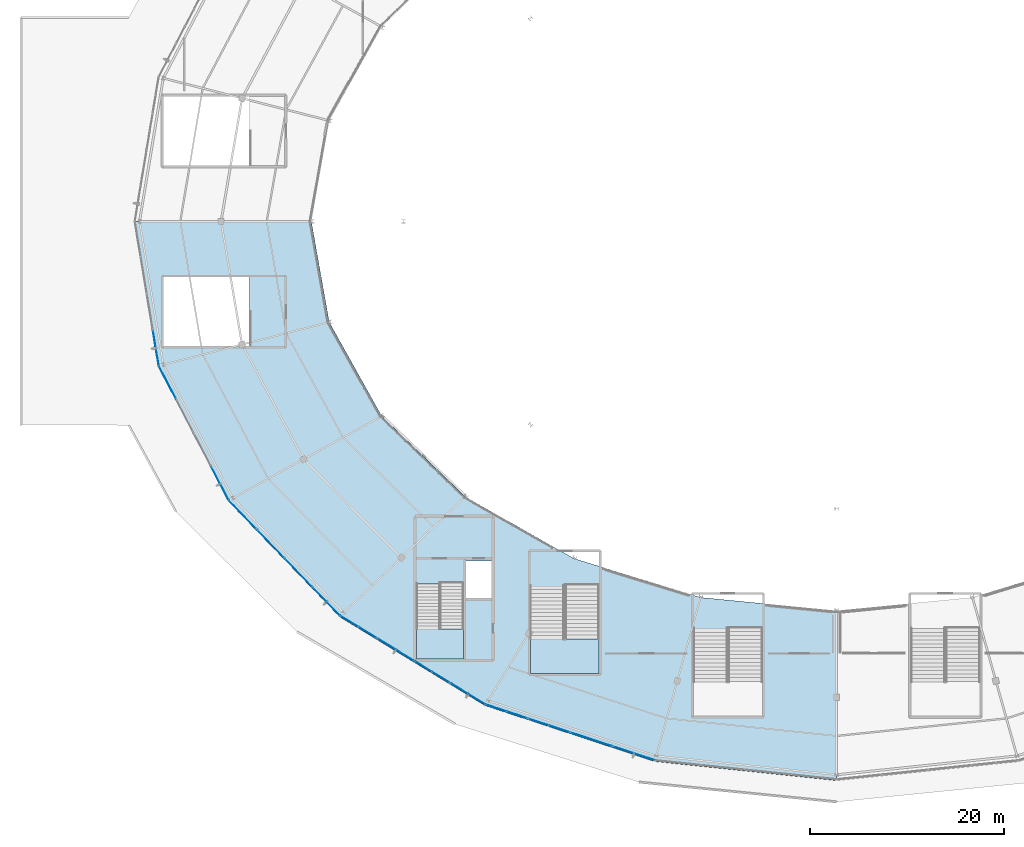
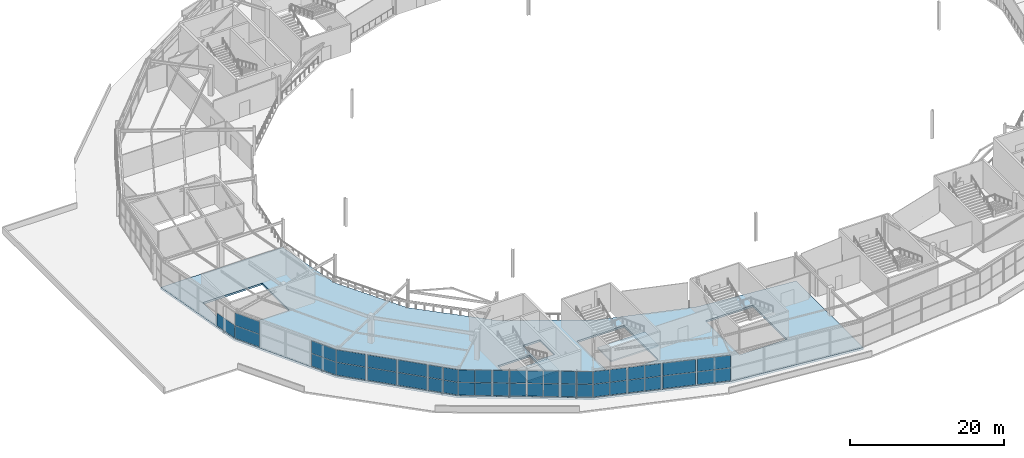
# One storey, part 93 of 126: 43 plates, 3 slabs, 17 elements without a shape of their own.
"""IFC4 building model written with IfcOpenShell, lengths in metres."""

from ifc_helpers import new_model, si_unit, direction, frame, origin, origin_2d, place, context, subcontext, project, spatial, polyline, rectangle, outline, extrude, material, layer, layer_set, type_object, element, aggregate, save


model = new_model("IFC4")

# Units and contexts
model_context = context("Model", 3, precision=1e-05, world=origin(), true_north=direction((0.0, 1.0)))
body_context = subcontext(model_context, "Body", "Model", "MODEL_VIEW")
ifc_project = project(units=[si_unit("LENGTHUNIT", "METRE"), si_unit("AREAUNIT", "SQUARE_METRE"), si_unit("VOLUMEUNIT", "CUBIC_METRE"), si_unit("PLANEANGLEUNIT", "RADIAN"), si_unit("MASSUNIT", "GRAM", prefix="KILO")], contexts=[model_context])

# Site, building, storey
site_placement = place(None, origin())
site = spatial("IfcSite", under=ifc_project, at=site_placement, CompositionType="ELEMENT")
building_placement = place(site_placement, origin())
building = spatial("IfcBuilding", under=site, at=building_placement, Name="Kalgoora Escarpment Arena", CompositionType="ELEMENT")
storey_placement = place(building_placement, frame((0.0, 0.0, 18.89990234375)))
storey = spatial("IfcBuildingStorey", under=building, at=storey_placement, Name="L04", CompositionType="ELEMENT", Elevation=18.89990234375)

# Curtain wall, plates
ifc_material_1 = material(Name=" Champagne anodised aluminium & double-glazed low-E", Category="aluminium")
ifc_layer_1 = layer(ifc_material_1, 0.166015625)
ifc_layer_set_1 = layer_set([ifc_layer_1], Name="CW-UNIT-19")
curtain_wall_type_1 = type_object("IfcCurtainWallType", Name="CW-UNIT-19", PredefinedType="NOTDEFINED", material=ifc_layer_set_1)
curtain_wall_1_placement = place(storey_placement, origin())
curtain_wall_1 = element("IfcCurtainWall", 1, at=curtain_wall_1_placement, inside=storey, type_object=curtain_wall_type_1, Name="L04 unitised facade curtain wall 118", PredefinedType="NOTDEFINED")
ifc_material_2 = material(Name="Low-E double-glazed insulated glass", Category="glass")
ifc_layer_2 = layer(ifc_material_2, 0.028076171875)
ifc_layer_set_2 = layer_set([ifc_layer_2], Name="PLT-CW-GLAZ-28")
plate_type_1 = type_object("IfcPlateType", Name="PLT-CW-GLAZ-28", PredefinedType="CURTAIN_PANEL", material=ifc_layer_set_2)
plate_1_placement = place(storey_placement, frame((71.5400390625, 9.188232421875, 0.0751953125), z_axis=(0.0, 0.0, 1.0), x_axis=(-0.949759939888, 0.312979322933, 0.0)))
plate_1 = element("IfcPlate", 2, at=plate_1_placement, type_object=plate_type_1, Name="CW-19 panel 1.1", PredefinedType="CURTAIN_PANEL", context=body_context, shape_type="SweptSolid", body=[
    extrude(rectangle(XDim=4.42626953125, YDim=0.028076171875, at=origin_2d()), origin(), (0.0, 0.0, 1.0), 2.00244140625),
])
plate_2_placement = place(storey_placement, frame((71.5400390625, 9.188232421875, 2.132568359375), z_axis=(0.0, 0.0, 1.0), x_axis=(-0.949759939888, 0.312979322933, 0.0)))
plate_2 = element("IfcPlate", 3, at=plate_2_placement, type_object=plate_type_1, Name="CW-19 panel 1.2", PredefinedType="CURTAIN_PANEL", context=body_context, shape_type="SweptSolid", body=[
    extrude(rectangle(XDim=4.42626953125, YDim=0.028076171875, at=origin_2d()), origin(), (0.0, 0.0, 1.0), 1.982421875),
])
aggregate(curtain_wall_1, [plate_1, plate_2])

ifc_material_3 = material(Name=" Champagne anodised aluminium & double-glazed low-E", Category="aluminium")
ifc_layer_3 = layer(ifc_material_3, 0.154052734375)
ifc_layer_set_3 = layer_set([ifc_layer_3], Name="CW-UNIT-01")
curtain_wall_type_2 = type_object("IfcCurtainWallType", Name="CW-UNIT-01", PredefinedType="NOTDEFINED", material=ifc_layer_set_3)
curtain_wall_2_placement = place(storey_placement, origin())
curtain_wall_2 = element("IfcCurtainWall", 4, at=curtain_wall_2_placement, inside=storey, type_object=curtain_wall_type_2, Name="L04 unitised facade curtain wall 120", PredefinedType="NOTDEFINED")
plate_3_placement = place(storey_placement, frame((63.837646484375, 11.726318359375, 0.080078125), z_axis=(0.0, 0.0, 1.0), x_axis=(-0.94975644114, 0.312989939956, 0.0)))
plate_3 = element("IfcPlate", 5, at=plate_3_placement, type_object=plate_type_1, Name="CW-01 panel 1.1", PredefinedType="CURTAIN_PANEL", context=body_context, shape_type="SweptSolid", body=[
    extrude(rectangle(XDim=2.150634765625, YDim=0.028076171875, at=origin_2d()), origin(), (0.0, 0.0, 1.0), 1.9951171875),
])
plate_4_placement = place(storey_placement, frame((63.837646484375, 11.726318359375, 2.135009765625), z_axis=(0.0, 0.0, 1.0), x_axis=(-0.94975644114, 0.312989939956, 0.0)))
plate_4 = element("IfcPlate", 6, at=plate_4_placement, type_object=plate_type_1, Name="CW-01 panel 1.2", PredefinedType="CURTAIN_PANEL", context=body_context, shape_type="SweptSolid", body=[
    extrude(rectangle(XDim=2.150634765625, YDim=0.028076171875, at=origin_2d()), origin(), (0.0, 0.0, 1.0), 1.97509765625),
])
plate_5_placement = place(storey_placement, frame((61.7333984375, 12.419677734375, 0.080078125), z_axis=(0.0, 0.0, 1.0), x_axis=(-0.94975644114, 0.312989939956, 0.0)))
plate_5 = element("IfcPlate", 7, at=plate_5_placement, type_object=plate_type_1, Name="CW-01 panel 2.1", PredefinedType="CURTAIN_PANEL", context=body_context, shape_type="SweptSolid", body=[
    extrude(rectangle(XDim=2.150634765625, YDim=0.028076171875, at=origin_2d()), origin(), (0.0, 0.0, 1.0), 1.9951171875),
])
plate_6_placement = place(storey_placement, frame((61.7333984375, 12.419677734375, 2.135009765625), z_axis=(0.0, 0.0, 1.0), x_axis=(-0.94975644114, 0.312989939956, 0.0)))
plate_6 = element("IfcPlate", 8, at=plate_6_placement, type_object=plate_type_1, Name="CW-01 panel 2.2", PredefinedType="CURTAIN_PANEL", context=body_context, shape_type="SweptSolid", body=[
    extrude(rectangle(XDim=2.150634765625, YDim=0.028076171875, at=origin_2d()), origin(), (0.0, 0.0, 1.0), 1.97509765625),
])
aggregate(curtain_wall_2, [plate_3, plate_4, plate_5, plate_6])

ifc_material_4 = material(Name=" Champagne anodised aluminium & double-glazed low-E", Category="aluminium")
ifc_layer_4 = layer(ifc_material_4, 0.162109375)
ifc_layer_set_4 = layer_set([ifc_layer_4], Name="CW-UNIT-03")
curtain_wall_type_3 = type_object("IfcCurtainWallType", Name="CW-UNIT-03", PredefinedType="NOTDEFINED", material=ifc_layer_set_4)
curtain_wall_3_placement = place(storey_placement, origin())
curtain_wall_3 = element("IfcCurtainWall", 9, at=curtain_wall_3_placement, inside=storey, type_object=curtain_wall_type_3, Name="L04 unitised facade curtain wall 122", PredefinedType="NOTDEFINED")
plate_7_placement = place(storey_placement, frame((55.34130859375, 14.78173828125, 0.080078125), z_axis=(0.0, 0.0, 1.0), x_axis=(-0.853520684485, 0.521058961304, 0.0)))
plate_7 = element("IfcPlate", 10, at=plate_7_placement, type_object=plate_type_1, Name="CW-03 panel 1.1", PredefinedType="CURTAIN_PANEL", context=body_context, shape_type="SweptSolid", body=[
    extrude(rectangle(XDim=2.028564453125, YDim=0.028076171875, at=origin_2d()), origin(), (0.0, 0.0, 1.0), 1.9951171875),
])
plate_8_placement = place(storey_placement, frame((55.34130859375, 14.78173828125, 2.135009765625), z_axis=(0.0, 0.0, 1.0), x_axis=(-0.853520684485, 0.521058961304, 0.0)))
plate_8 = element("IfcPlate", 11, at=plate_8_placement, type_object=plate_type_1, Name="CW-03 panel 1.2", PredefinedType="CURTAIN_PANEL", context=body_context, shape_type="SweptSolid", body=[
    extrude(rectangle(XDim=2.028564453125, YDim=0.028076171875, at=origin_2d()), origin(), (0.0, 0.0, 1.0), 1.97509765625),
])
plate_9_placement = place(storey_placement, frame((53.554443359375, 15.87255859375, 0.080078125), z_axis=(0.0, 0.0, 1.0), x_axis=(-0.853520684485, 0.521058961304, 0.0)))
plate_9 = element("IfcPlate", 12, at=plate_9_placement, type_object=plate_type_1, Name="CW-03 panel 2.1", PredefinedType="CURTAIN_PANEL", context=body_context, shape_type="SweptSolid", body=[
    extrude(rectangle(XDim=2.028564453125, YDim=0.028076171875, at=origin_2d()), origin(), (0.0, 0.0, 1.0), 1.9951171875),
])
plate_10_placement = place(storey_placement, frame((53.554443359375, 15.87255859375, 2.135009765625), z_axis=(0.0, 0.0, 1.0), x_axis=(-0.853520684485, 0.521058961304, 0.0)))
plate_10 = element("IfcPlate", 13, at=plate_10_placement, type_object=plate_type_1, Name="CW-03 panel 2.2", PredefinedType="CURTAIN_PANEL", context=body_context, shape_type="SweptSolid", body=[
    extrude(rectangle(XDim=2.028564453125, YDim=0.028076171875, at=origin_2d()), origin(), (0.0, 0.0, 1.0), 1.97509765625),
])
aggregate(curtain_wall_3, [plate_7, plate_8, plate_9, plate_10])

ifc_material_5 = material(Name=" Champagne anodised aluminium & double-glazed low-E", Category="aluminium")
ifc_layer_5 = layer(ifc_material_5, 0.14990234375)
ifc_layer_set_5 = layer_set([ifc_layer_5], Name="CW-UNIT-05")
curtain_wall_type_4 = type_object("IfcCurtainWallType", Name="CW-UNIT-05", PredefinedType="NOTDEFINED", material=ifc_layer_set_5)
curtain_wall_4_placement = place(storey_placement, origin())
curtain_wall_4 = element("IfcCurtainWall", 14, at=curtain_wall_4_placement, inside=storey, type_object=curtain_wall_type_4, Name="L04 unitised facade curtain wall 124", PredefinedType="NOTDEFINED")
plate_11_placement = place(storey_placement, frame((47.909912109375, 19.318359375, 0.080078125), z_axis=(0.0, 0.0, 1.0), x_axis=(-0.853516077733, 0.52106650732, 0.0)))
plate_11 = element("IfcPlate", 15, at=plate_11_placement, type_object=plate_type_1, Name="CW-05 panel 1.1", PredefinedType="CURTAIN_PANEL", context=body_context, shape_type="SweptSolid", body=[
    extrude(rectangle(XDim=2.10205078125, YDim=0.028076171875, at=origin_2d()), origin(), (0.0, 0.0, 1.0), 1.9951171875),
])
plate_12_placement = place(storey_placement, frame((47.909912109375, 19.318359375, 2.135009765625), z_axis=(0.0, 0.0, 1.0), x_axis=(-0.853516077733, 0.52106650732, 0.0)))
plate_12 = element("IfcPlate", 16, at=plate_12_placement, type_object=plate_type_1, Name="CW-05 panel 1.2", PredefinedType="CURTAIN_PANEL", context=body_context, shape_type="SweptSolid", body=[
    extrude(rectangle(XDim=2.10205078125, YDim=0.028076171875, at=origin_2d()), origin(), (0.0, 0.0, 1.0), 1.97509765625),
])
plate_13_placement = place(storey_placement, frame((46.060546875, 20.447509765625, 0.080078125), z_axis=(0.0, 0.0, 1.0), x_axis=(-0.853516077733, 0.52106650732, 0.0)))
plate_13 = element("IfcPlate", 17, at=plate_13_placement, type_object=plate_type_1, Name="CW-05 panel 2.1", PredefinedType="CURTAIN_PANEL", context=body_context, shape_type="SweptSolid", body=[
    extrude(rectangle(XDim=2.10205078125, YDim=0.028076171875, at=origin_2d()), origin(), (0.0, 0.0, 1.0), 1.9951171875),
])
plate_14_placement = place(storey_placement, frame((46.060546875, 20.447509765625, 2.135009765625), z_axis=(0.0, 0.0, 1.0), x_axis=(-0.853516077733, 0.52106650732, 0.0)))
plate_14 = element("IfcPlate", 18, at=plate_14_placement, type_object=plate_type_1, Name="CW-05 panel 2.2", PredefinedType="CURTAIN_PANEL", context=body_context, shape_type="SweptSolid", body=[
    extrude(rectangle(XDim=2.10205078125, YDim=0.028076171875, at=origin_2d()), origin(), (0.0, 0.0, 1.0), 1.97509765625),
])
aggregate(curtain_wall_4, [plate_11, plate_12, plate_13, plate_14])

ifc_material_6 = material(Name=" Champagne anodised aluminium & double-glazed low-E", Category="aluminium")
ifc_layer_6 = layer(ifc_material_6, 0.157958984375)
ifc_layer_set_6 = layer_set([ifc_layer_6], Name="CW-UNIT-07")
curtain_wall_type_5 = type_object("IfcCurtainWallType", Name="CW-UNIT-07", PredefinedType="NOTDEFINED", material=ifc_layer_set_6)
curtain_wall_5_placement = place(storey_placement, origin())
curtain_wall_5 = element("IfcCurtainWall", 19, at=curtain_wall_5_placement, inside=storey, type_object=curtain_wall_type_5, Name="L04 unitised facade curtain wall 126", PredefinedType="NOTDEFINED")
plate_15_placement = place(storey_placement, frame((40.5703125, 24.102294921875, 0.080078125), z_axis=(0.0, 0.0, 1.0), x_axis=(-0.69420247723, 0.719779772297, 0.0)))
plate_15 = element("IfcPlate", 20, at=plate_15_placement, type_object=plate_type_1, Name="CW-07 panel 1.1", PredefinedType="CURTAIN_PANEL", context=body_context, shape_type="SweptSolid", body=[
    extrude(rectangle(XDim=1.94921875, YDim=0.028076171875, at=origin_2d()), origin(), (0.0, 0.0, 1.0), 1.9951171875),
])
plate_16_placement = place(storey_placement, frame((40.5703125, 24.102294921875, 2.135009765625), z_axis=(0.0, 0.0, 1.0), x_axis=(-0.69420247723, 0.719779772297, 0.0)))
plate_16 = element("IfcPlate", 21, at=plate_16_placement, type_object=plate_type_1, Name="CW-07 panel 1.2", PredefinedType="CURTAIN_PANEL", context=body_context, shape_type="SweptSolid", body=[
    extrude(rectangle(XDim=1.94921875, YDim=0.028076171875, at=origin_2d()), origin(), (0.0, 0.0, 1.0), 1.97509765625),
])
plate_17_placement = place(storey_placement, frame((39.171875, 25.552001953125, 0.080078125), z_axis=(0.0, 0.0, 1.0), x_axis=(-0.69420247723, 0.719779772297, 0.0)))
plate_17 = element("IfcPlate", 22, at=plate_17_placement, type_object=plate_type_1, Name="CW-07 panel 2.1", PredefinedType="CURTAIN_PANEL", context=body_context, shape_type="SweptSolid", body=[
    extrude(rectangle(XDim=1.94921875, YDim=0.028076171875, at=origin_2d()), origin(), (0.0, 0.0, 1.0), 1.9951171875),
])
plate_18_placement = place(storey_placement, frame((39.171875, 25.552001953125, 2.135009765625), z_axis=(0.0, 0.0, 1.0), x_axis=(-0.69420247723, 0.719779772297, 0.0)))
plate_18 = element("IfcPlate", 23, at=plate_18_placement, type_object=plate_type_1, Name="CW-07 panel 2.2", PredefinedType="CURTAIN_PANEL", context=body_context, shape_type="SweptSolid", body=[
    extrude(rectangle(XDim=1.94921875, YDim=0.028076171875, at=origin_2d()), origin(), (0.0, 0.0, 1.0), 1.97509765625),
])
aggregate(curtain_wall_5, [plate_15, plate_16, plate_17, plate_18])

ifc_material_7 = material(Name=" Champagne anodised aluminium & double-glazed low-E", Category="aluminium")
ifc_layer_7 = layer(ifc_material_7, 0.166015625)
ifc_layer_set_7 = layer_set([ifc_layer_7], Name="CW-UNIT-09")
curtain_wall_type_6 = type_object("IfcCurtainWallType", Name="CW-UNIT-09", PredefinedType="NOTDEFINED", material=ifc_layer_set_7)
curtain_wall_6_placement = place(storey_placement, origin())
curtain_wall_6 = element("IfcCurtainWall", 24, at=curtain_wall_6_placement, inside=storey, type_object=curtain_wall_type_6, Name="L04 unitised facade curtain wall 128", PredefinedType="NOTDEFINED")
plate_19_placement = place(storey_placement, frame((34.100830078125, 30.809814453125, 0.080078125), z_axis=(0.0, 0.0, 1.0), x_axis=(-0.694205135116, 0.719777208849, 0.0)))
plate_19 = element("IfcPlate", 25, at=plate_19_placement, type_object=plate_type_1, Name="CW-09 panel 1.1", PredefinedType="CURTAIN_PANEL", context=body_context, shape_type="SweptSolid", body=[
    extrude(rectangle(XDim=3.91357421875, YDim=0.028076171875, at=origin_2d()), origin(), (0.0, 0.0, 1.0), 1.9951171875),
])
plate_20_placement = place(storey_placement, frame((34.100830078125, 30.809814453125, 2.135009765625), z_axis=(0.0, 0.0, 1.0), x_axis=(-0.694205135116, 0.719777208849, 0.0)))
plate_20 = element("IfcPlate", 26, at=plate_20_placement, type_object=plate_type_1, Name="CW-09 panel 1.2", PredefinedType="CURTAIN_PANEL", context=body_context, shape_type="SweptSolid", body=[
    extrude(rectangle(XDim=3.91357421875, YDim=0.028076171875, at=origin_2d()), origin(), (0.0, 0.0, 1.0), 1.97509765625),
])
aggregate(curtain_wall_6, [plate_19, plate_20])

ifc_material_8 = material(Name=" Champagne anodised aluminium & double-glazed low-E", Category="aluminium")
ifc_layer_8 = layer(ifc_material_8, 0.154052734375)
ifc_layer_set_8 = layer_set([ifc_layer_8], Name="CW-UNIT-11")
curtain_wall_type_7 = type_object("IfcCurtainWallType", Name="CW-UNIT-11", PredefinedType="NOTDEFINED", material=ifc_layer_set_8)
curtain_wall_7_placement = place(storey_placement, origin())
curtain_wall_7 = element("IfcCurtainWall", 27, at=curtain_wall_7_placement, inside=storey, type_object=curtain_wall_type_7, Name="L04 unitised facade curtain wall 130", PredefinedType="NOTDEFINED")
plate_21_placement = place(storey_placement, frame((28.91357421875, 36.9697265625, 0.0751953125), z_axis=(0.0, 0.0, 1.0), x_axis=(-0.461795783252, 0.886986276427, 0.0)))
plate_21 = element("IfcPlate", 28, at=plate_21_placement, type_object=plate_type_1, Name="CW-11 panel 1.1", PredefinedType="CURTAIN_PANEL", context=body_context, shape_type="SweptSolid", body=[
    extrude(rectangle(XDim=3.74560546875, YDim=0.028076171875, at=origin_2d()), origin(), (0.0, 0.0, 1.0), 2.00244140625),
])
plate_22_placement = place(storey_placement, frame((28.91357421875, 36.9697265625, 2.132568359375), z_axis=(0.0, 0.0, 1.0), x_axis=(-0.461795783252, 0.886986276427, 0.0)))
plate_22 = element("IfcPlate", 29, at=plate_22_placement, type_object=plate_type_1, Name="CW-11 panel 1.2", PredefinedType="CURTAIN_PANEL", context=body_context, shape_type="SweptSolid", body=[
    extrude(rectangle(XDim=3.74560546875, YDim=0.028076171875, at=origin_2d()), origin(), (0.0, 0.0, 1.0), 1.982421875),
])
aggregate(curtain_wall_7, [plate_21, plate_22])

# Curtain wall, plate
ifc_material_9 = material(Name=" Champagne anodised aluminium & double-glazed low-E", Category="aluminium")
ifc_layer_9 = layer(ifc_material_9, 0.14990234375)
ifc_layer_set_9 = layer_set([ifc_layer_9], Name="CW-UNIT-15")
curtain_wall_type_8 = type_object("IfcCurtainWallType", Name="CW-UNIT-15", PredefinedType="NOTDEFINED", material=ifc_layer_set_9)
curtain_wall_8_placement = place(storey_placement, origin())
curtain_wall_8 = element("IfcCurtainWall", 30, at=curtain_wall_8_placement, inside=storey, type_object=curtain_wall_type_8, Name="L04 unitised facade curtain wall 134", PredefinedType="NOTDEFINED")
plate_23_placement = place(storey_placement, frame((22.281005859375, 50.950439453125, 0.0751953125), z_axis=(0.0, 0.0, 1.0), x_axis=(-0.163263482966, 0.986582502951, 0.0)))
plate_23 = element("IfcPlate", 31, at=plate_23_placement, type_object=plate_type_1, Name="CW-15 panel 1.1", PredefinedType="CURTAIN_PANEL", context=body_context, shape_type="SweptSolid", body=[
    extrude(rectangle(XDim=3.607666015625, YDim=0.028076171875, at=origin_2d()), origin(), (0.0, 0.0, 1.0), 2.00244140625),
])
aggregate(curtain_wall_8, [plate_23])

# Curtain wall, plates
ifc_material_10 = material(Name=" Champagne anodised aluminium & double-glazed low-E", Category="aluminium")
ifc_layer_10 = layer(ifc_material_10, 0.14990234375)
ifc_layer_set_10 = layer_set([ifc_layer_10], Name="CW-UNIT-20")
curtain_wall_type_9 = type_object("IfcCurtainWallType", Name="CW-UNIT-20", PredefinedType="NOTDEFINED", material=ifc_layer_set_10)
curtain_wall_9_placement = place(storey_placement, origin())
curtain_wall_9 = element("IfcCurtainWall", 32, at=curtain_wall_9_placement, inside=storey, type_object=curtain_wall_type_9, Name="L04 unitised facade curtain wall 119", PredefinedType="NOTDEFINED")
ifc_material_11 = material(Name="Acoustic laminated solar-control glass", Category="glass")
ifc_layer_11 = layer(ifc_material_11, 0.033935546875)
ifc_layer_set_11 = layer_set([ifc_layer_11], Name="PLT-CW-GLAZ-34")
plate_type_2 = type_object("IfcPlateType", Name="PLT-CW-GLAZ-34", PredefinedType="CURTAIN_PANEL", material=ifc_layer_set_11)
plate_24_placement = place(storey_placement, frame((67.15087890625, 10.634521484375, 0.0751953125), z_axis=(0.0, 0.0, 1.0), x_axis=(-0.949763052265, 0.312969878028, 0.0)))
plate_24 = element("IfcPlate", 33, at=plate_24_placement, type_object=plate_type_2, Name="CW-20 panel 1.1", PredefinedType="CURTAIN_PANEL", context=body_context, shape_type="SweptSolid", body=[
    extrude(rectangle(XDim=4.376220703125, YDim=0.033935546875, at=origin_2d()), origin(), (0.0, 0.0, 1.0), 2.00244140625),
])
plate_25_placement = place(storey_placement, frame((67.15087890625, 10.634521484375, 2.132568359375), z_axis=(0.0, 0.0, 1.0), x_axis=(-0.949763052265, 0.312969878028, 0.0)))
plate_25 = element("IfcPlate", 34, at=plate_25_placement, type_object=plate_type_2, Name="CW-20 panel 1.2", PredefinedType="CURTAIN_PANEL", context=body_context, shape_type="SweptSolid", body=[
    extrude(rectangle(XDim=4.376220703125, YDim=0.033935546875, at=origin_2d()), origin(), (0.0, 0.0, 1.0), 1.982421875),
])
aggregate(curtain_wall_9, [plate_24, plate_25])

ifc_material_12 = material(Name=" Champagne anodised aluminium & double-glazed low-E", Category="aluminium")
ifc_layer_12 = layer(ifc_material_12, 0.157958984375)
ifc_layer_set_12 = layer_set([ifc_layer_12], Name="CW-UNIT-02")
curtain_wall_type_10 = type_object("IfcCurtainWallType", Name="CW-UNIT-02", PredefinedType="NOTDEFINED", material=ifc_layer_set_12)
curtain_wall_10_placement = place(storey_placement, origin())
curtain_wall_10 = element("IfcCurtainWall", 35, at=curtain_wall_10_placement, inside=storey, type_object=curtain_wall_type_10, Name="L04 unitised facade curtain wall 121", PredefinedType="NOTDEFINED")
plate_26_placement = place(storey_placement, frame((59.46044921875, 13.168701171875, 0.080078125), z_axis=(0.0, 0.0, 1.0), x_axis=(-0.949757785191, 0.312985861452, 0.0)))
plate_26 = element("IfcPlate", 36, at=plate_26_placement, type_object=plate_type_2, Name="CW-02 panel 1.1", PredefinedType="CURTAIN_PANEL", context=body_context, shape_type="SweptSolid", body=[
    extrude(rectangle(XDim=2.175537109375, YDim=0.033935546875, at=origin_2d()), origin(), (0.0, 0.0, 1.0), 1.9951171875),
])
plate_27_placement = place(storey_placement, frame((59.46044921875, 13.168701171875, 2.135009765625), z_axis=(0.0, 0.0, 1.0), x_axis=(-0.949757785191, 0.312985861452, 0.0)))
plate_27 = element("IfcPlate", 37, at=plate_27_placement, type_object=plate_type_2, Name="CW-02 panel 1.2", PredefinedType="CURTAIN_PANEL", context=body_context, shape_type="SweptSolid", body=[
    extrude(rectangle(XDim=2.175537109375, YDim=0.033935546875, at=origin_2d()), origin(), (0.0, 0.0, 1.0), 1.97509765625),
])
plate_28_placement = place(storey_placement, frame((57.33251953125, 13.8701171875, 0.080078125), z_axis=(0.0, 0.0, 1.0), x_axis=(-0.949757785191, 0.312985861452, 0.0)))
plate_28 = element("IfcPlate", 38, at=plate_28_placement, type_object=plate_type_2, Name="CW-02 panel 2.1", PredefinedType="CURTAIN_PANEL", context=body_context, shape_type="SweptSolid", body=[
    extrude(rectangle(XDim=2.175537109375, YDim=0.033935546875, at=origin_2d()), origin(), (0.0, 0.0, 1.0), 1.9951171875),
])
plate_29_placement = place(storey_placement, frame((57.33251953125, 13.8701171875, 2.135009765625), z_axis=(0.0, 0.0, 1.0), x_axis=(-0.949757785191, 0.312985861452, 0.0)))
plate_29 = element("IfcPlate", 39, at=plate_29_placement, type_object=plate_type_2, Name="CW-02 panel 2.2", PredefinedType="CURTAIN_PANEL", context=body_context, shape_type="SweptSolid", body=[
    extrude(rectangle(XDim=2.175537109375, YDim=0.033935546875, at=origin_2d()), origin(), (0.0, 0.0, 1.0), 1.97509765625),
])
aggregate(curtain_wall_10, [plate_26, plate_27, plate_28, plate_29])

ifc_material_13 = material(Name=" Champagne anodised aluminium & double-glazed low-E", Category="aluminium")
ifc_layer_13 = layer(ifc_material_13, 0.166015625)
ifc_layer_set_13 = layer_set([ifc_layer_13], Name="CW-UNIT-04")
curtain_wall_type_11 = type_object("IfcCurtainWallType", Name="CW-UNIT-04", PredefinedType="NOTDEFINED", material=ifc_layer_set_13)
curtain_wall_11_placement = place(storey_placement, origin())
curtain_wall_11 = element("IfcCurtainWall", 40, at=curtain_wall_11_placement, inside=storey, type_object=curtain_wall_type_11, Name="L04 unitised facade curtain wall 123", PredefinedType="NOTDEFINED")
plate_30_placement = place(storey_placement, frame((51.626708984375, 17.04931640625, 0.080078125), z_axis=(0.0, 0.0, 1.0), x_axis=(-0.853527069701, 0.521048501858, 0.0)))
plate_30 = element("IfcPlate", 41, at=plate_30_placement, type_object=plate_type_2, Name="CW-04 panel 1.1", PredefinedType="CURTAIN_PANEL", context=body_context, shape_type="SweptSolid", body=[
    extrude(rectangle(XDim=2.028564453125, YDim=0.033935546875, at=origin_2d()), origin(), (0.0, 0.0, 1.0), 1.9951171875),
])
plate_31_placement = place(storey_placement, frame((51.626708984375, 17.04931640625, 2.135009765625), z_axis=(0.0, 0.0, 1.0), x_axis=(-0.853527069701, 0.521048501858, 0.0)))
plate_31 = element("IfcPlate", 42, at=plate_31_placement, type_object=plate_type_2, Name="CW-04 panel 1.2", PredefinedType="CURTAIN_PANEL", context=body_context, shape_type="SweptSolid", body=[
    extrude(rectangle(XDim=2.028564453125, YDim=0.033935546875, at=origin_2d()), origin(), (0.0, 0.0, 1.0), 1.97509765625),
])
plate_32_placement = place(storey_placement, frame((49.840087890625, 18.14013671875, 0.080078125), z_axis=(0.0, 0.0, 1.0), x_axis=(-0.853527069701, 0.521048501858, 0.0)))
plate_32 = element("IfcPlate", 43, at=plate_32_placement, type_object=plate_type_2, Name="CW-04 panel 2.1", PredefinedType="CURTAIN_PANEL", context=body_context, shape_type="SweptSolid", body=[
    extrude(rectangle(XDim=2.028564453125, YDim=0.033935546875, at=origin_2d()), origin(), (0.0, 0.0, 1.0), 1.9951171875),
])
plate_33_placement = place(storey_placement, frame((49.840087890625, 18.14013671875, 2.135009765625), z_axis=(0.0, 0.0, 1.0), x_axis=(-0.853527069701, 0.521048501858, 0.0)))
plate_33 = element("IfcPlate", 44, at=plate_33_placement, type_object=plate_type_2, Name="CW-04 panel 2.2", PredefinedType="CURTAIN_PANEL", context=body_context, shape_type="SweptSolid", body=[
    extrude(rectangle(XDim=2.028564453125, YDim=0.033935546875, at=origin_2d()), origin(), (0.0, 0.0, 1.0), 1.97509765625),
])
aggregate(curtain_wall_11, [plate_30, plate_31, plate_32, plate_33])

ifc_material_14 = material(Name=" Champagne anodised aluminium & double-glazed low-E", Category="aluminium")
ifc_layer_14 = layer(ifc_material_14, 0.154052734375)
ifc_layer_set_14 = layer_set([ifc_layer_14], Name="CW-UNIT-06")
curtain_wall_type_12 = type_object("IfcCurtainWallType", Name="CW-UNIT-06", PredefinedType="NOTDEFINED", material=ifc_layer_set_14)
curtain_wall_12_placement = place(storey_placement, origin())
curtain_wall_12 = element("IfcCurtainWall", 45, at=curtain_wall_12_placement, inside=storey, type_object=curtain_wall_type_12, Name="L04 unitised facade curtain wall 125", PredefinedType="NOTDEFINED")
plate_34_placement = place(storey_placement, frame((44.070068359375, 21.662353515625, 0.080078125), z_axis=(0.0, 0.0, 1.0), x_axis=(-0.85353235978, 0.521039836105, 0.0)))
plate_34 = element("IfcPlate", 46, at=plate_34_placement, type_object=plate_type_2, Name="CW-06 panel 1.1", PredefinedType="CURTAIN_PANEL", context=body_context, shape_type="SweptSolid", body=[
    extrude(rectangle(XDim=2.10205078125, YDim=0.033935546875, at=origin_2d()), origin(), (0.0, 0.0, 1.0), 1.9951171875),
])
plate_35_placement = place(storey_placement, frame((44.070068359375, 21.662353515625, 2.135009765625), z_axis=(0.0, 0.0, 1.0), x_axis=(-0.85353235978, 0.521039836105, 0.0)))
plate_35 = element("IfcPlate", 47, at=plate_35_placement, type_object=plate_type_2, Name="CW-06 panel 1.2", PredefinedType="CURTAIN_PANEL", context=body_context, shape_type="SweptSolid", body=[
    extrude(rectangle(XDim=2.10205078125, YDim=0.033935546875, at=origin_2d()), origin(), (0.0, 0.0, 1.0), 1.97509765625),
])
plate_36_placement = place(storey_placement, frame((42.220458984375, 22.79150390625, 0.080078125), z_axis=(0.0, 0.0, 1.0), x_axis=(-0.85353235978, 0.521039836105, 0.0)))
plate_36 = element("IfcPlate", 48, at=plate_36_placement, type_object=plate_type_2, Name="CW-06 panel 2.1", PredefinedType="CURTAIN_PANEL", context=body_context, shape_type="SweptSolid", body=[
    extrude(rectangle(XDim=2.10205078125, YDim=0.033935546875, at=origin_2d()), origin(), (0.0, 0.0, 1.0), 1.9951171875),
])
plate_37_placement = place(storey_placement, frame((42.220458984375, 22.79150390625, 2.135009765625), z_axis=(0.0, 0.0, 1.0), x_axis=(-0.85353235978, 0.521039836105, 0.0)))
plate_37 = element("IfcPlate", 49, at=plate_37_placement, type_object=plate_type_2, Name="CW-06 panel 2.2", PredefinedType="CURTAIN_PANEL", context=body_context, shape_type="SweptSolid", body=[
    extrude(rectangle(XDim=2.10205078125, YDim=0.033935546875, at=origin_2d()), origin(), (0.0, 0.0, 1.0), 1.97509765625),
])
aggregate(curtain_wall_12, [plate_34, plate_35, plate_36, plate_37])

ifc_material_15 = material(Name=" Champagne anodised aluminium & double-glazed low-E", Category="aluminium")
ifc_layer_15 = layer(ifc_material_15, 0.162109375)
ifc_layer_set_15 = layer_set([ifc_layer_15], Name="CW-UNIT-08")
curtain_wall_type_13 = type_object("IfcCurtainWallType", Name="CW-UNIT-08", PredefinedType="NOTDEFINED", material=ifc_layer_set_15)
curtain_wall_13_placement = place(storey_placement, origin())
curtain_wall_13 = element("IfcCurtainWall", 50, at=curtain_wall_13_placement, inside=storey, type_object=curtain_wall_type_13, Name="L04 unitised facade curtain wall 127", PredefinedType="NOTDEFINED")
plate_38_placement = place(storey_placement, frame((36.977294921875, 27.827392578125, 0.080078125), z_axis=(0.0, 0.0, 1.0), x_axis=(-0.694205135116, 0.719777208849, 0.0)))
plate_38 = element("IfcPlate", 51, at=plate_38_placement, type_object=plate_type_2, Name="CW-08 panel 1.1", PredefinedType="CURTAIN_PANEL", context=body_context, shape_type="SweptSolid", body=[
    extrude(rectangle(XDim=3.91357421875, YDim=0.033935546875, at=origin_2d()), origin(), (0.0, 0.0, 1.0), 1.9951171875),
])
plate_39_placement = place(storey_placement, frame((36.977294921875, 27.827392578125, 2.135009765625), z_axis=(0.0, 0.0, 1.0), x_axis=(-0.694205135116, 0.719777208849, 0.0)))
plate_39 = element("IfcPlate", 52, at=plate_39_placement, type_object=plate_type_2, Name="CW-08 panel 1.2", PredefinedType="CURTAIN_PANEL", context=body_context, shape_type="SweptSolid", body=[
    extrude(rectangle(XDim=3.91357421875, YDim=0.033935546875, at=origin_2d()), origin(), (0.0, 0.0, 1.0), 1.97509765625),
])
aggregate(curtain_wall_13, [plate_38, plate_39])

ifc_material_16 = material(Name=" Champagne anodised aluminium & double-glazed low-E", Category="aluminium")
ifc_layer_16 = layer(ifc_material_16, 0.14990234375)
ifc_layer_set_16 = layer_set([ifc_layer_16], Name="CW-UNIT-10")
curtain_wall_type_14 = type_object("IfcCurtainWallType", Name="CW-UNIT-10", PredefinedType="NOTDEFINED", material=ifc_layer_set_16)
curtain_wall_14_placement = place(storey_placement, origin())
curtain_wall_14 = element("IfcCurtainWall", 53, at=curtain_wall_14_placement, inside=storey, type_object=curtain_wall_type_14, Name="L04 unitised facade curtain wall 129", PredefinedType="NOTDEFINED")
plate_40_placement = place(storey_placement, frame((31.20703125, 33.81005859375, 0.080078125), z_axis=(0.0, 0.0, 1.0), x_axis=(-0.69420247723, 0.719779772297, 0.0)))
plate_40 = element("IfcPlate", 54, at=plate_40_placement, type_object=plate_type_2, Name="CW-10 panel 1.1", PredefinedType="CURTAIN_PANEL", context=body_context, shape_type="SweptSolid", body=[
    extrude(rectangle(XDim=3.96337890625, YDim=0.033935546875, at=origin_2d()), origin(), (0.0, 0.0, 1.0), 1.9951171875),
])
plate_41_placement = place(storey_placement, frame((31.20703125, 33.81005859375, 2.135009765625), z_axis=(0.0, 0.0, 1.0), x_axis=(-0.69420247723, 0.719779772297, 0.0)))
plate_41 = element("IfcPlate", 55, at=plate_41_placement, type_object=plate_type_2, Name="CW-10 panel 1.2", PredefinedType="CURTAIN_PANEL", context=body_context, shape_type="SweptSolid", body=[
    extrude(rectangle(XDim=3.96337890625, YDim=0.033935546875, at=origin_2d()), origin(), (0.0, 0.0, 1.0), 1.97509765625),
])
aggregate(curtain_wall_14, [plate_40, plate_41])

ifc_material_17 = material(Name=" Champagne anodised aluminium & double-glazed low-E", Category="aluminium")
ifc_layer_17 = layer(ifc_material_17, 0.166015625)
ifc_layer_set_17 = layer_set([ifc_layer_17], Name="CW-UNIT-14")
curtain_wall_type_15 = type_object("IfcCurtainWallType", Name="CW-UNIT-14", PredefinedType="NOTDEFINED", material=ifc_layer_set_17)
curtain_wall_15_placement = place(storey_placement, origin())
curtain_wall_15 = element("IfcCurtainWall", 56, at=curtain_wall_15_placement, inside=storey, type_object=curtain_wall_type_15, Name="L04 unitised facade curtain wall 133", PredefinedType="NOTDEFINED")
plate_42_placement = place(storey_placement, frame((23.466064453125, 47.43310546875, 0.0751953125), z_axis=(0.0, 0.0, 1.0), x_axis=(-0.461806379771, 0.886980759432, 0.0)))
plate_42 = element("IfcPlate", 57, at=plate_42_placement, type_object=plate_type_2, Name="CW-14 panel 1.1", PredefinedType="CURTAIN_PANEL", context=body_context, shape_type="SweptSolid", body=[
    extrude(rectangle(XDim=3.745361328125, YDim=0.033935546875, at=origin_2d()), origin(), (0.0, 0.0, 1.0), 2.00244140625),
])
plate_43_placement = place(storey_placement, frame((23.466064453125, 47.43310546875, 2.132568359375), z_axis=(0.0, 0.0, 1.0), x_axis=(-0.461806379771, 0.886980759432, 0.0)))
plate_43 = element("IfcPlate", 58, at=plate_43_placement, type_object=plate_type_2, Name="CW-14 panel 1.2", PredefinedType="CURTAIN_PANEL", context=body_context, shape_type="SweptSolid", body=[
    extrude(rectangle(XDim=3.745361328125, YDim=0.033935546875, at=origin_2d()), origin(), (0.0, 0.0, 1.0), 1.982421875),
])
aggregate(curtain_wall_15, [plate_42, plate_43])

# Stair, slab
ifc_material_18 = material(Name="Concrete N40 (fc' 40 MPa)", Category="concrete")
stair_type_1 = type_object("IfcStairType", Name="STR-EXIT-1", PredefinedType="HALF_TURN_STAIR", material=ifc_material_18)
stair_1_placement = place(storey_placement, origin())
stair_1 = element("IfcStair", 59, at=stair_1_placement, inside=storey, type_object=stair_type_1, Name="Fire-isolated exit stair ST05 (L04)", PredefinedType="HALF_TURN_STAIR")
ifc_material_19 = material(Name="Concrete N40 (fc' 40 MPa)", Category="concrete")
ifc_layer_18 = layer(ifc_material_19, 0.219970703125)
ifc_layer_set_18 = layer_set([ifc_layer_18], Name="SLB-ST-LAND-220")
slab_type_1 = type_object("IfcSlabType", Name="SLB-ST-LAND-220", PredefinedType="LANDING", material=ifc_layer_set_18)
slab_1_placement = place(storey_placement, frame((0.0, 0.0, 2.030029296875)))
slab_1 = element("IfcSlab", 60, at=slab_1_placement, type_object=slab_type_1, Name="ST05 L04 half-landing", PredefinedType="LANDING", context=body_context, shape_type="SweptSolid", body=[
    extrude(outline(polyline([(53.949951171875, 22.0400390625), (53.949951171875, 18.949951171875), (49.14990234375, 18.949951171875), (49.14990234375, 22.0400390625), (53.949951171875, 22.0400390625)])), origin(), (0.0, 0.0, 1.0), 0.219970703125),
])
aggregate(stair_1, [slab_1])

ifc_material_20 = material(Name="Precast concrete N50 (fc' 50 MPa)", Category="concrete")
stair_type_2 = type_object("IfcStairType", Name="STR-STAD-1", PredefinedType="HALF_TURN_STAIR", material=ifc_material_20)
stair_2_placement = place(storey_placement, origin())
stair_2 = element("IfcStair", 61, at=stair_2_placement, inside=storey, type_object=stair_type_2, Name="Fire-isolated exit stair ST13 (L04)", PredefinedType="HALF_TURN_STAIR")
slab_2_placement = place(storey_placement, frame((0.0, 0.0, 2.030029296875)))
slab_2 = element("IfcSlab", 62, at=slab_2_placement, type_object=slab_type_1, Name="ST13 L04 half-landing", PredefinedType="LANDING", context=body_context, shape_type="SweptSolid", body=[
    extrude(outline(polyline([(67.949951171875, 21.0), (67.949951171875, 17.449951171875), (60.85009765625, 17.449951171875), (60.85009765625, 21.0), (67.949951171875, 21.0)])), origin(), (0.0, 0.0, 1.0), 0.219970703125),
])
aggregate(stair_2, [slab_2])

# Slab
ifc_material_21 = material(Name="Concrete N40 (fc' 40 MPa)", Category="concrete")
ifc_layer_19 = layer(ifc_material_21, 0.300048828125)
ifc_layer_set_19 = layer_set([ifc_layer_19], Name="SLB-UPPER-300")
slab_type_2 = type_object("IfcSlabType", Name="SLB-UPPER-300", PredefinedType="FLOOR", material=ifc_layer_set_19)
slab_3_placement = place(storey_placement, frame((0.0, 0.0, -0.2998046875)))
element("IfcSlab", 63, at=slab_3_placement, inside=storey, type_object=slab_type_2, Name="L04 concourse ring SW floor slab", PredefinedType="FLOOR", context=body_context, shape_type="SweptSolid", body=[
    extrude(outline(polyline([(73.66162109375, 8.36279296875), (56.199951171875, 14.116943359375), (41.20556640625, 23.2705078125), (29.69970703125, 35.199951171875), (22.467041015625, 49.092041015625), (20.0, 64.0), (38.300048828125, 64.0), (40.143310546875, 53.621337890625), (45.548095703125, 43.949951171875), (54.1455078125, 35.64501953125), (65.35009765625, 29.2724609375), (78.39794921875, 25.266357421875), (92.39990234375, 23.89990234375), (92.39990234375, 6.39990234375), (73.66162109375, 8.36279296875)]), holes=[polyline([(77.64990234375, 21.949951171875), (77.64990234375, 13.050048828125), (84.75, 13.050048828125), (84.75, 21.949951171875), (77.64990234375, 21.949951171875)]), polyline([(60.85009765625, 26.35009765625), (60.85009765625, 17.449951171875), (67.949951171875, 17.449951171875), (67.949951171875, 26.35009765625), (60.85009765625, 26.35009765625)]), polyline([(49.14990234375, 26.64990234375), (49.14990234375, 18.949951171875), (53.949951171875, 18.949951171875), (53.949951171875, 26.64990234375), (49.14990234375, 26.64990234375)]), polyline([(56.85009765625, 29.0), (54.25, 29.0), (54.25, 25.199951171875), (56.85009765625, 25.199951171875), (56.85009765625, 29.0)]), polyline([(31.949951171875, 58.25), (23.050048828125, 58.25), (23.050048828125, 51.14990234375), (31.949951171875, 51.14990234375), (31.949951171875, 58.25)])]), origin(), (0.0, 0.0, 1.0), 0.2998046875),
])

save(model, "model.ifc")
